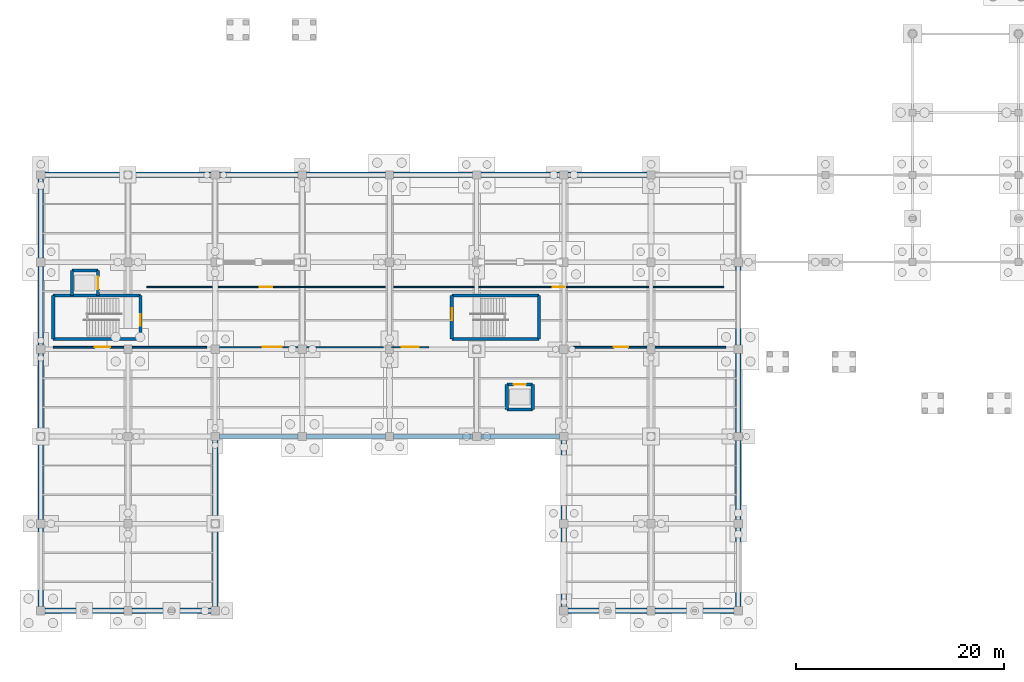
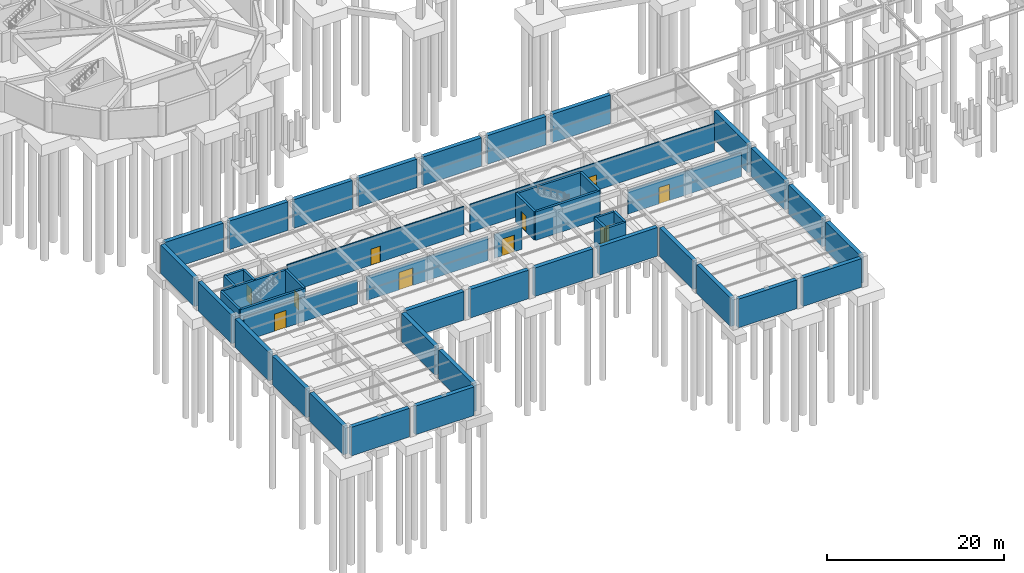
# One storey, part 25 of 38: 49 walls, 10 doors, 10 openings.
"""IFC4 building model written with IfcOpenShell, lengths in metres."""

from ifc_helpers import new_model, si_unit, direction, frame, frame_2d, origin, place, context, subcontext, project, spatial, rectangle, extrude, material, layer, layer_set, type_object, element, fill, save


model = new_model("IFC4")

# Units and contexts
model_context = context("Model", 3, precision=1e-05, world=origin(), true_north=direction((0.0, 1.0)))
body_context = subcontext(model_context, "Body", "Model", "MODEL_VIEW")
ifc_project = project(units=[si_unit("LENGTHUNIT", "METRE"), si_unit("AREAUNIT", "SQUARE_METRE"), si_unit("VOLUMEUNIT", "CUBIC_METRE"), si_unit("PLANEANGLEUNIT", "RADIAN"), si_unit("MASSUNIT", "GRAM", prefix="KILO"), si_unit("THERMODYNAMICTEMPERATUREUNIT", "KELVIN"), si_unit("POWERUNIT", "WATT")], contexts=[model_context])

# Site, building, storey
site_placement = place(None, origin())
site = spatial("IfcSite", under=ifc_project, at=site_placement, CompositionType="ELEMENT")
building_placement = place(site_placement, origin())
building = spatial("IfcBuilding", under=site, at=building_placement, Name="Darbajah Civic Hall", CompositionType="ELEMENT")
storey_placement = place(building_placement, frame((0.0, 0.0, -4.199951171875)))
storey = spatial("IfcBuildingStorey", under=building, at=storey_placement, Name="B01", CompositionType="ELEMENT", Elevation=-4.199951171875)

# Walls
ifc_material_1 = material(Name="Concrete C45/55", Category="concrete")
ifc_layer_1 = layer(ifc_material_1, 0.52001953125, Name="Concrete C45/55")
ifc_layer_set_1 = layer_set([ifc_layer_1], Name="Concrete C45/55")
wall_type_1 = type_object("IfcWallType", Name="Basement Perimeter Wall 520mm", PredefinedType="SOLIDWALL", material=ifc_layer_set_1)
for number, where, z_axis, x_axis, name in (
    (1, (0.402099609375, 0.0, 0.0), (0.0, 0.0, 1.0), (1.0, 0.0, 0.0), "B01 exterior wall RW-520"),
    (2, (8.802001953125, 0.0, 0.0), (0.0, 0.0, 1.0), (1.0, 0.0, 0.0), "B01 exterior wall RW-520"),
    (3, (16.800048828125, 0.402099609375, 0.0), (0.0, 0.0, 1.0), (0.0, 1.0, 0.0), "B01 exterior wall RW-520"),
    (4, (16.800048828125, 8.802001953125, 0.0), (0.0, 0.0, 1.0), (0.0, 1.0, 0.0), "B01 exterior wall RW-520"),
):
    element("IfcWall", number, at=place(storey_placement, frame(where, z_axis=z_axis, x_axis=x_axis)), inside=storey, type_object=wall_type_1, Name=name, PredefinedType="SOLIDWALL", context=body_context, shape_type="SweptSolid", body=[
        extrude(rectangle(XDim=7.595947265625, YDim=0.52001953125, at=frame_2d((3.7978515625, 0.0))), origin(), (0.0, 0.0, 1.0), 3.93994140625),
    ])
wall_1_placement = place(storey_placement, frame((17.201904296875, 16.800048828125, 0.0), z_axis=(0.0, 0.0, 1.0), x_axis=(1.0, 0.0, 0.0)))
element("IfcWall", 5, at=wall_1_placement, inside=storey, type_object=wall_type_1, Name="B01 exterior wall RW-520", PredefinedType="SOLIDWALL", context=body_context, shape_type="SweptSolid", body=[
    extrude(rectangle(XDim=7.59619140625, YDim=0.52001953125, at=frame_2d((3.798095703125, 0.0))), origin(), (0.0, 0.0, 1.0), 3.93994140625),
])
for number, where, z_axis, x_axis, name in (
    (6, (25.60205078125, 16.800048828125, 0.0), (0.0, 0.0, 1.0), (1.0, 0.0, 0.0), "B01 exterior wall RW-520"),
    (7, (34.001953125, 16.800048828125, 0.0), (0.0, 0.0, 1.0), (1.0, 0.0, 0.0), "B01 exterior wall RW-520"),
    (8, (42.402099609375, 16.800048828125, 0.0), (0.0, 0.0, 1.0), (1.0, 0.0, 0.0), "B01 exterior wall RW-520"),
    (9, (50.39990234375, 16.39794921875, 0.0), (0.0, 0.0, 1.0), (0.0, -1.0, 0.0), "B01 exterior wall RW-520"),
    (10, (50.39990234375, 7.998046875, 0.0), (0.0, 0.0, 1.0), (0.0, -1.0, 0.0), "B01 exterior wall RW-520"),
    (11, (50.802001953125, 0.0, 0.0), (0.0, 0.0, 1.0), (1.0, 0.0, 0.0), "B01 exterior wall RW-520"),
):
    element("IfcWall", number, at=place(storey_placement, frame(where, z_axis=z_axis, x_axis=x_axis)), inside=storey, type_object=wall_type_1, Name=name, PredefinedType="SOLIDWALL", context=body_context, shape_type="SweptSolid", body=[
        extrude(rectangle(XDim=7.595947265625, YDim=0.52001953125, at=frame_2d((3.7978515625, 0.0))), origin(), (0.0, 0.0, 1.0), 3.93994140625),
    ])
wall_2_placement = place(storey_placement, frame((59.201904296875, 0.0, 0.0), z_axis=(0.0, 0.0, 1.0), x_axis=(1.0, 0.0, 0.0)))
element("IfcWall", 12, at=wall_2_placement, inside=storey, type_object=wall_type_1, Name="B01 exterior wall RW-520", PredefinedType="SOLIDWALL", context=body_context, shape_type="SweptSolid", body=[
    extrude(rectangle(XDim=7.59619140625, YDim=0.52001953125, at=frame_2d((3.798095703125, 0.0))), origin(), (0.0, 0.0, 1.0), 3.93994140625),
])
for number, where, z_axis, x_axis, name in (
    (13, (67.199951171875, 0.402099609375, 0.0), (0.0, 0.0, 1.0), (0.0, 1.0, 0.0), "B01 exterior wall RW-520"),
    (14, (67.199951171875, 8.802001953125, 0.0), (0.0, 0.0, 1.0), (0.0, 1.0, 0.0), "B01 exterior wall RW-520"),
):
    element("IfcWall", number, at=place(storey_placement, frame(where, z_axis=z_axis, x_axis=x_axis)), inside=storey, type_object=wall_type_1, Name=name, PredefinedType="SOLIDWALL", context=body_context, shape_type="SweptSolid", body=[
        extrude(rectangle(XDim=7.595947265625, YDim=0.52001953125, at=frame_2d((3.7978515625, 0.0))), origin(), (0.0, 0.0, 1.0), 3.93994140625),
    ])
wall_3_placement = place(storey_placement, frame((67.199951171875, 17.201904296875, 0.0), z_axis=(0.0, 0.0, 1.0), x_axis=(0.0, 1.0, 0.0)))
element("IfcWall", 15, at=wall_3_placement, inside=storey, type_object=wall_type_1, Name="B01 exterior wall RW-520", PredefinedType="SOLIDWALL", context=body_context, shape_type="SweptSolid", body=[
    extrude(rectangle(XDim=7.59619140625, YDim=0.52001953125, at=frame_2d((3.798095703125, 0.0))), origin(), (0.0, 0.0, 1.0), 3.93994140625),
])
for number, where, z_axis, x_axis, name in (
    (16, (67.199951171875, 25.60205078125, 0.0), (0.0, 0.0, 1.0), (0.0, 1.0, 0.0), "B01 exterior wall RW-520"),
    (17, (58.39794921875, 42.0, 0.0), (0.0, 0.0, 1.0), (-1.0, 0.0, 0.0), "B01 exterior wall RW-520"),
    (18, (49.998046875, 42.0, 0.0), (0.0, 0.0, 1.0), (-1.0, 0.0, 0.0), "B01 exterior wall RW-520"),
    (19, (41.597900390625, 42.0, 0.0), (0.0, 0.0, 1.0), (-1.0, 0.0, 0.0), "B01 exterior wall RW-520"),
    (20, (33.197998046875, 42.0, 0.0), (0.0, 0.0, 1.0), (-1.0, 0.0, 0.0), "B01 exterior wall RW-520"),
):
    element("IfcWall", number, at=place(storey_placement, frame(where, z_axis=z_axis, x_axis=x_axis)), inside=storey, type_object=wall_type_1, Name=name, PredefinedType="SOLIDWALL", context=body_context, shape_type="SweptSolid", body=[
        extrude(rectangle(XDim=7.595947265625, YDim=0.52001953125, at=frame_2d((3.7978515625, 0.0))), origin(), (0.0, 0.0, 1.0), 3.93994140625),
    ])
wall_4_placement = place(storey_placement, frame((24.798095703125, 42.0, 0.0), z_axis=(0.0, 0.0, 1.0), x_axis=(-1.0, 0.0, 0.0)))
element("IfcWall", 21, at=wall_4_placement, inside=storey, type_object=wall_type_1, Name="B01 exterior wall RW-520", PredefinedType="SOLIDWALL", context=body_context, shape_type="SweptSolid", body=[
    extrude(rectangle(XDim=7.59619140625, YDim=0.52001953125, at=frame_2d((3.798095703125, 0.0))), origin(), (0.0, 0.0, 1.0), 3.93994140625),
])
for number, where, z_axis, x_axis, name in (
    (22, (16.39794921875, 42.0, 0.0), (0.0, 0.0, 1.0), (-1.0, 0.0, 0.0), "B01 exterior wall RW-520"),
    (23, (7.998046875, 42.0, 0.0), (0.0, 0.0, 1.0), (-1.0, 0.0, 0.0), "B01 exterior wall RW-520"),
    (24, (0.0, 41.597900390625, 0.0), (0.0, 0.0, 1.0), (0.0, -1.0, 0.0), "B01 exterior wall RW-520"),
    (25, (0.0, 33.197998046875, 0.0), (0.0, 0.0, 1.0), (0.0, -1.0, 0.0), "B01 exterior wall RW-520"),
):
    element("IfcWall", number, at=place(storey_placement, frame(where, z_axis=z_axis, x_axis=x_axis)), inside=storey, type_object=wall_type_1, Name=name, PredefinedType="SOLIDWALL", context=body_context, shape_type="SweptSolid", body=[
        extrude(rectangle(XDim=7.595947265625, YDim=0.52001953125, at=frame_2d((3.7978515625, 0.0))), origin(), (0.0, 0.0, 1.0), 3.93994140625),
    ])
wall_5_placement = place(storey_placement, frame((0.0, 24.798095703125, 0.0), z_axis=(0.0, 0.0, 1.0), x_axis=(0.0, -1.0, 0.0)))
element("IfcWall", 26, at=wall_5_placement, inside=storey, type_object=wall_type_1, Name="B01 exterior wall RW-520", PredefinedType="SOLIDWALL", context=body_context, shape_type="SweptSolid", body=[
    extrude(rectangle(XDim=7.59619140625, YDim=0.52001953125, at=frame_2d((3.798095703125, 0.0))), origin(), (0.0, 0.0, 1.0), 3.93994140625),
])
for number, where, z_axis, x_axis, name in (
    (27, (0.0, 16.39794921875, 0.0), (0.0, 0.0, 1.0), (0.0, -1.0, 0.0), "B01 exterior wall RW-520"),
    (28, (0.0, 7.998046875, 0.0), (0.0, 0.0, 1.0), (0.0, -1.0, 0.0), "B01 exterior wall RW-520"),
):
    element("IfcWall", number, at=place(storey_placement, frame(where, z_axis=z_axis, x_axis=x_axis)), inside=storey, type_object=wall_type_1, Name=name, PredefinedType="SOLIDWALL", context=body_context, shape_type="SweptSolid", body=[
        extrude(rectangle(XDim=7.595947265625, YDim=0.52001953125, at=frame_2d((3.7978515625, 0.0))), origin(), (0.0, 0.0, 1.0), 3.93994140625),
    ])
ifc_layer_2 = layer(ifc_material_1, 0.300048828125, Name="Concrete C45/55")
ifc_layer_set_2 = layer_set([ifc_layer_2], Name="Concrete C45/55")
wall_type_2 = type_object("IfcWallType", Name="Core Shear Wall 300mm", PredefinedType="SHEAR", material=ifc_layer_set_2)
wall_6_placement = place(storey_placement, frame((1.199951171875, 26.199951171875, 0.0), z_axis=(0.0, 0.0, 1.0), x_axis=(1.0, 0.0, 0.0)))
element("IfcWall", 29, at=wall_6_placement, inside=storey, type_object=wall_type_2, Name="B01 core C10 shear wall S", PredefinedType="SHEAR", context=body_context, shape_type="SweptSolid", body=[
    extrude(rectangle(XDim=8.400146484375, YDim=0.300048828125, at=frame_2d((4.2001953125, 0.0))), origin(), (0.0, 0.0, 1.0), 3.919921875),
])

# Wall, opening, door
wall_7_placement = place(storey_placement, frame((9.60009765625, 26.199951171875, 0.0), z_axis=(0.0, 0.0, 1.0), x_axis=(0.0, 1.0, 0.0)))
wall_7 = element("IfcWall", 30, at=wall_7_placement, inside=storey, type_object=wall_type_2, Name="B01 core C10 shear wall E", PredefinedType="SHEAR", context=body_context, shape_type="SweptSolid", body=[
    extrude(rectangle(XDim=4.199951171875, YDim=0.300048828125, at=frame_2d((2.10009765625, 0.0))), origin(), (0.0, 0.0, 1.0), 3.919921875),
])
opening_1_placement = place(wall_7_placement, frame((1.25, 0.0, 0.0)))
opening_1 = element("IfcOpeningElement", 31, at=opening_1_placement, cuts=wall_7, Name="Opening SD-0108", PredefinedType="OPENING", context=body_context, shape_type="SweptSolid", body=[
    extrude(rectangle(XDim=1.14990234375, YDim=2.199951171875, at=frame_2d((0.574951171875, 1.10009765625))), frame((0.0, 0.159912109375, 0.0), z_axis=(0.0, -1.0, 0.0), x_axis=(1.0, 0.0, 0.0)), (0.0, 0.0, 1.0), 0.320068359375),
])
ifc_material_2 = material(Name="Steel Rated Core Door", Category="steel")
door_type_1 = type_object("IfcDoorType", Name="Interior Door 1150x2200", OperationType="NOTDEFINED", PredefinedType="DOOR", material=ifc_material_2)
door_1_placement = place(opening_1_placement, origin())
door_1 = element("IfcDoor", 32, at=door_1_placement, inside=storey, type_object=door_type_1, Name="B01 stair ST10 fire door SD-0108", OperationType="SINGLE_SWING_LEFT", OverallHeight=2.199951171875, OverallWidth=1.14990234375, PredefinedType="DOOR", context=body_context, shape_type="SweptSolid", body=[
    extrude(rectangle(XDim=1.14990234375, YDim=2.199951171875, at=frame_2d((0.574951171875, 1.10009765625))), frame((0.0, 0.02490234375, 0.0), z_axis=(0.0, -1.0, 0.0), x_axis=(1.0, 0.0, 0.0)), (0.0, 0.0, 1.0), 0.050048828125),
])
fill(opening_1, door_1)

# Walls
wall_8_placement = place(storey_placement, frame((9.60009765625, 30.39990234375, 0.0), z_axis=(0.0, 0.0, 1.0), x_axis=(-1.0, 0.0, 0.0)))
element("IfcWall", 33, at=wall_8_placement, inside=storey, type_object=wall_type_2, Name="B01 core C10 shear wall N", PredefinedType="SHEAR", context=body_context, shape_type="SweptSolid", body=[
    extrude(rectangle(XDim=8.400146484375, YDim=0.300048828125, at=frame_2d((4.2001953125, 0.0))), origin(), (0.0, 0.0, 1.0), 3.919921875),
])
wall_9_placement = place(storey_placement, frame((1.199951171875, 30.39990234375, 0.0), z_axis=(0.0, 0.0, 1.0), x_axis=(0.0, -1.0, 0.0)))
element("IfcWall", 34, at=wall_9_placement, inside=storey, type_object=wall_type_2, Name="B01 core C10 shear wall W", PredefinedType="SHEAR", context=body_context, shape_type="SweptSolid", body=[
    extrude(rectangle(XDim=4.199951171875, YDim=0.300048828125, at=frame_2d((2.10009765625, 0.0))), origin(), (0.0, 0.0, 1.0), 3.919921875),
])
wall_10_placement = place(storey_placement, frame((5.5, 32.800048828125, 0.0), z_axis=(0.0, 0.0, 1.0), x_axis=(-1.0, 0.0, 0.0)))
element("IfcWall", 35, at=wall_10_placement, inside=storey, type_object=wall_type_2, Name="B01 lift PL5 shaft wall N", PredefinedType="SHEAR", context=body_context, shape_type="SweptSolid", body=[
    extrude(rectangle(XDim=2.5, YDim=0.300048828125, at=frame_2d((1.25, 0.0))), origin(), (0.0, 0.0, 1.0), 3.919921875),
])
wall_11_placement = place(storey_placement, frame((3.0, 32.800048828125, 0.0), z_axis=(0.0, 0.0, 1.0), x_axis=(0.0, -1.0, 0.0)))
element("IfcWall", 36, at=wall_11_placement, inside=storey, type_object=wall_type_2, Name="B01 lift PL5 shaft wall W", PredefinedType="SHEAR", context=body_context, shape_type="SweptSolid", body=[
    extrude(rectangle(XDim=2.400146484375, YDim=0.300048828125, at=frame_2d((1.2001953125, 0.0))), origin(), (0.0, 0.0, 1.0), 3.919921875),
])

# Wall, opening, door
wall_12_placement = place(storey_placement, frame((5.5, 30.39990234375, 0.0), z_axis=(0.0, 0.0, 1.0), x_axis=(0.0, 1.0, 0.0)))
wall_12 = element("IfcWall", 37, at=wall_12_placement, inside=storey, type_object=wall_type_2, Name="B01 lift PL5 shaft wall E", PredefinedType="SHEAR", context=body_context, shape_type="SweptSolid", body=[
    extrude(rectangle(XDim=2.400146484375, YDim=0.300048828125, at=frame_2d((1.2001953125, 0.0))), origin(), (0.0, 0.0, 1.0), 3.919921875),
])
opening_2_placement = place(wall_12_placement, frame((0.60009765625, 0.0, 0.0)))
opening_2 = element("IfcOpeningElement", 38, at=opening_2_placement, cuts=wall_12, Name="Opening LD-0114", PredefinedType="OPENING", context=body_context, shape_type="SweptSolid", body=[
    extrude(rectangle(XDim=1.199951171875, YDim=2.25, at=frame_2d((0.60009765625, 1.125))), frame((0.0, 0.159912109375, 0.0), z_axis=(0.0, -1.0, 0.0), x_axis=(1.0, 0.0, 0.0)), (0.0, 0.0, 1.0), 0.320068359375),
])
ifc_material_3 = material(Name="Stainless Lift Landing Door")
door_type_2 = type_object("IfcDoorType", Name="Lift Landing Door 1200x2250", OperationType="SLIDING_TO_LEFT", PredefinedType="DOOR", material=ifc_material_3)
door_2_placement = place(opening_2_placement, origin())
door_2 = element("IfcDoor", 39, at=door_2_placement, inside=storey, type_object=door_type_2, Name="B01 lift PL5 landing door LD-0114", OperationType="SLIDING_TO_LEFT", OverallHeight=2.25, OverallWidth=1.199951171875, PredefinedType="DOOR", context=body_context, shape_type="SweptSolid", body=[
    extrude(rectangle(XDim=1.199951171875, YDim=2.25, at=frame_2d((0.60009765625, 1.125))), frame((0.0, 0.02490234375, 0.0), z_axis=(0.0, -1.0, 0.0), x_axis=(1.0, 0.0, 0.0)), (0.0, 0.0, 1.0), 0.050048828125),
])
fill(opening_2, door_2)

# Walls
wall_13_placement = place(storey_placement, frame((39.60009765625, 26.199951171875, 0.0), z_axis=(0.0, 0.0, 1.0), x_axis=(1.0, 0.0, 0.0)))
element("IfcWall", 40, at=wall_13_placement, inside=storey, type_object=wall_type_2, Name="B01 core C11 shear wall S", PredefinedType="SHEAR", context=body_context, shape_type="SweptSolid", body=[
    extrude(rectangle(XDim=8.39990234375, YDim=0.300048828125, at=frame_2d((4.199951171875, 0.0))), origin(), (0.0, 0.0, 1.0), 3.919921875),
])
wall_14_placement = place(storey_placement, frame((48.0, 26.199951171875, 0.0), z_axis=(0.0, 0.0, 1.0), x_axis=(0.0, 1.0, 0.0)))
element("IfcWall", 41, at=wall_14_placement, inside=storey, type_object=wall_type_2, Name="B01 core C11 shear wall E", PredefinedType="SHEAR", context=body_context, shape_type="SweptSolid", body=[
    extrude(rectangle(XDim=4.199951171875, YDim=0.300048828125, at=frame_2d((2.10009765625, 0.0))), origin(), (0.0, 0.0, 1.0), 3.919921875),
])
wall_15_placement = place(storey_placement, frame((48.0, 30.39990234375, 0.0), z_axis=(0.0, 0.0, 1.0), x_axis=(-1.0, 0.0, 0.0)))
element("IfcWall", 42, at=wall_15_placement, inside=storey, type_object=wall_type_2, Name="B01 core C11 shear wall N", PredefinedType="SHEAR", context=body_context, shape_type="SweptSolid", body=[
    extrude(rectangle(XDim=8.39990234375, YDim=0.300048828125, at=frame_2d((4.199951171875, 0.0))), origin(), (0.0, 0.0, 1.0), 3.919921875),
])

# Wall, opening, door
wall_16_placement = place(storey_placement, frame((39.60009765625, 30.39990234375, 0.0), z_axis=(0.0, 0.0, 1.0), x_axis=(0.0, -1.0, 0.0)))
wall_16 = element("IfcWall", 43, at=wall_16_placement, inside=storey, type_object=wall_type_2, Name="B01 core C11 shear wall W", PredefinedType="SHEAR", context=body_context, shape_type="SweptSolid", body=[
    extrude(rectangle(XDim=4.199951171875, YDim=0.300048828125, at=frame_2d((2.10009765625, 0.0))), origin(), (0.0, 0.0, 1.0), 3.919921875),
])
opening_3_placement = place(wall_16_placement, frame((1.25, 0.0, 0.0)))
opening_3 = element("IfcOpeningElement", 44, at=opening_3_placement, cuts=wall_16, Name="Opening SD-0120", PredefinedType="OPENING", context=body_context, shape_type="SweptSolid", body=[
    extrude(rectangle(XDim=1.14990234375, YDim=2.199951171875, at=frame_2d((0.574951171875, 1.10009765625))), frame((0.0, 0.159912109375, 0.0), z_axis=(0.0, -1.0, 0.0), x_axis=(1.0, 0.0, 0.0)), (0.0, 0.0, 1.0), 0.320068359375),
])
door_3_placement = place(opening_3_placement, origin())
door_3 = element("IfcDoor", 45, at=door_3_placement, inside=storey, type_object=door_type_1, Name="B01 stair ST11 fire door SD-0120", OperationType="SINGLE_SWING_LEFT", OverallHeight=2.199951171875, OverallWidth=1.14990234375, PredefinedType="DOOR", context=body_context, shape_type="SweptSolid", body=[
    extrude(rectangle(XDim=1.14990234375, YDim=2.199951171875, at=frame_2d((0.574951171875, 1.10009765625))), frame((0.0, 0.02490234375, 0.0), z_axis=(0.0, -1.0, 0.0), x_axis=(1.0, 0.0, 0.0)), (0.0, 0.0, 1.0), 0.050048828125),
])
fill(opening_3, door_3)

wall_17_placement = place(storey_placement, frame((47.39990234375, 21.800048828125, 0.0), z_axis=(0.0, 0.0, 1.0), x_axis=(-1.0, 0.0, 0.0)))
wall_17 = element("IfcWall", 46, at=wall_17_placement, inside=storey, type_object=wall_type_2, Name="B01 lift PL6 shaft wall N", PredefinedType="SHEAR", context=body_context, shape_type="SweptSolid", body=[
    extrude(rectangle(XDim=2.5, YDim=0.300048828125, at=frame_2d((1.25, 0.0))), origin(), (0.0, 0.0, 1.0), 3.919921875),
])
opening_4_placement = place(wall_17_placement, frame((0.64990234375, 0.0, 0.0)))
opening_4 = element("IfcOpeningElement", 47, at=opening_4_placement, cuts=wall_17, Name="Opening LD-0126", PredefinedType="OPENING", context=body_context, shape_type="SweptSolid", body=[
    extrude(rectangle(XDim=1.199951171875, YDim=2.25, at=frame_2d((0.60009765625, 1.125))), frame((0.0, 0.159912109375, 0.0), z_axis=(0.0, -1.0, 0.0), x_axis=(1.0, 0.0, 0.0)), (0.0, 0.0, 1.0), 0.320068359375),
])
door_4_placement = place(opening_4_placement, origin())
door_4 = element("IfcDoor", 48, at=door_4_placement, inside=storey, type_object=door_type_2, Name="B01 lift PL6 landing door LD-0126", OperationType="SLIDING_TO_LEFT", OverallHeight=2.25, OverallWidth=1.199951171875, PredefinedType="DOOR", context=body_context, shape_type="SweptSolid", body=[
    extrude(rectangle(XDim=1.199951171875, YDim=2.25, at=frame_2d((0.60009765625, 1.125))), frame((0.0, 0.02490234375, 0.0), z_axis=(0.0, -1.0, 0.0), x_axis=(1.0, 0.0, 0.0)), (0.0, 0.0, 1.0), 0.050048828125),
])
fill(opening_4, door_4)

# Walls
wall_18_placement = place(storey_placement, frame((44.89990234375, 19.39990234375, 0.0), z_axis=(0.0, 0.0, 1.0), x_axis=(1.0, 0.0, 0.0)))
element("IfcWall", 49, at=wall_18_placement, inside=storey, type_object=wall_type_2, Name="B01 lift PL6 shaft wall S", PredefinedType="SHEAR", context=body_context, shape_type="SweptSolid", body=[
    extrude(rectangle(XDim=2.5, YDim=0.300048828125, at=frame_2d((1.25, 0.0))), origin(), (0.0, 0.0, 1.0), 3.919921875),
])
for number, where, z_axis, x_axis, name in (
    (50, (44.89990234375, 21.800048828125, 0.0), (0.0, 0.0, 1.0), (0.0, -1.0, 0.0), "B01 lift PL6 shaft wall W"),
    (51, (47.39990234375, 19.39990234375, 0.0), (0.0, 0.0, 1.0), (0.0, 1.0, 0.0), "B01 lift PL6 shaft wall E"),
):
    element("IfcWall", number, at=place(storey_placement, frame(where, z_axis=z_axis, x_axis=x_axis)), inside=storey, type_object=wall_type_2, Name=name, PredefinedType="SHEAR", context=body_context, shape_type="SweptSolid", body=[
        extrude(rectangle(XDim=2.400146484375, YDim=0.300048828125, at=frame_2d((1.2001953125, 0.0))), origin(), (0.0, 0.0, 1.0), 3.919921875),
    ])

# Wall, opening, door
ifc_material_4 = material(Name="Acoustic Gypsum Partition")
ifc_layer_3 = layer(ifc_material_4, 0.114990234375, Name="Acoustic Gypsum Partition")
ifc_layer_set_3 = layer_set([ifc_layer_3], Name="Acoustic Gypsum Partition")
wall_type_3 = type_object("IfcWallType", Name="Interior Partition 115mm", PredefinedType="PARTITIONING", material=ifc_layer_set_3)
wall_19_placement = place(storey_placement, frame((33.800048828125, 25.39990234375, 0.0), z_axis=(0.0, 0.0, 1.0), x_axis=(1.0, 0.0, 0.0)))
wall_19 = element("IfcWall", 52, at=wall_19_placement, inside=storey, type_object=wall_type_3, Name="B01 interior partition B01-14", PredefinedType="PARTITIONING", context=body_context, shape_type="SweptSolid", body=[
    extrude(rectangle(XDim=3.599853515625, YDim=0.114990234375, at=frame_2d((1.7998046875, 0.0))), origin(), (0.0, 0.0, 1.0), 3.2900390625),
])
opening_5_placement = place(wall_19_placement, frame((1.0, 0.0, 0.0)))
opening_5 = element("IfcOpeningElement", 53, at=opening_5_placement, cuts=wall_19, Name="Opening D-0148", PredefinedType="OPENING", context=body_context, shape_type="SweptSolid", body=[
    extrude(rectangle(XDim=1.60009765625, YDim=2.300048828125, at=frame_2d((0.800048828125, 1.14990234375))), frame((0.0, 0.0673828125, 0.0), z_axis=(0.0, -1.0, 0.0), x_axis=(1.0, 0.0, 0.0)), (0.0, 0.0, 1.0), 0.135009765625),
])
ifc_material_5 = material(Name="Painted Hardwood Fire Door", Category="wood")
door_type_3 = type_object("IfcDoorType", Name="Interior Door 1600x2300", OperationType="NOTDEFINED", PredefinedType="DOOR", material=ifc_material_5)
door_5_placement = place(opening_5_placement, origin())
door_5 = element("IfcDoor", 54, at=door_5_placement, inside=storey, type_object=door_type_3, Name="B01 B01-14 door D-0148", OperationType="DOUBLE_DOOR_SINGLE_SWING", OverallHeight=2.300048828125, OverallWidth=1.60009765625, PredefinedType="DOOR", context=body_context, shape_type="SweptSolid", body=[
    extrude(rectangle(XDim=1.60009765625, YDim=2.300048828125, at=frame_2d((0.800048828125, 1.14990234375))), frame((0.0, 0.02490234375, 0.0), z_axis=(0.0, -1.0, 0.0), x_axis=(1.0, 0.0, 0.0)), (0.0, 0.0, 1.0), 0.050048828125),
])
fill(opening_5, door_5)

wall_20_placement = place(storey_placement, frame((34.0, 31.199951171875, 0.0), z_axis=(0.0, 0.0, 1.0), x_axis=(1.0, 0.0, 0.0)))
wall_20 = element("IfcWall", 55, at=wall_20_placement, inside=storey, type_object=wall_type_3, Name="B01 interior partition B01-17", PredefinedType="PARTITIONING", context=body_context, shape_type="SweptSolid", body=[
    extrude(rectangle(XDim=31.800048828125, YDim=0.114990234375, at=frame_2d((15.89990234375, 0.0))), origin(), (0.0, 0.0, 1.0), 3.85986328125),
])
opening_6_placement = place(wall_20_placement, frame((15.35009765625, 0.0, 0.0)))
opening_6 = element("IfcOpeningElement", 56, at=opening_6_placement, cuts=wall_20, Name="Opening D-0151", PredefinedType="OPENING", context=body_context, shape_type="SweptSolid", body=[
    extrude(rectangle(XDim=1.10009765625, YDim=2.14990234375, at=frame_2d((0.550048828125, 1.074951171875))), frame((0.0, 0.0673828125, 0.0), z_axis=(0.0, -1.0, 0.0), x_axis=(1.0, 0.0, 0.0)), (0.0, 0.0, 1.0), 0.135009765625),
])
ifc_material_6 = material(Name="Acoustic Oak Office Door")
door_type_4 = type_object("IfcDoorType", Name="Interior Door 1100x2150", OperationType="NOTDEFINED", PredefinedType="DOOR", material=ifc_material_6)
door_6_placement = place(opening_6_placement, origin())
door_6 = element("IfcDoor", 57, at=door_6_placement, inside=storey, type_object=door_type_4, Name="B01 B01-17 door D-0151", OperationType="SINGLE_SWING_RIGHT", OverallHeight=2.14990234375, OverallWidth=1.10009765625, PredefinedType="DOOR", context=body_context, shape_type="SweptSolid", body=[
    extrude(rectangle(XDim=1.10009765625, YDim=2.14990234375, at=frame_2d((0.550048828125, 1.074951171875))), frame((0.0, 0.02490234375, 0.0), z_axis=(0.0, -1.0, 0.0), x_axis=(1.0, 0.0, 0.0)), (0.0, 0.0, 1.0), 0.050048828125),
])
fill(opening_6, door_6)

ifc_material_7 = material(Name="Gypsum Plasterboard on Steel Stud", Category="steel")
ifc_layer_4 = layer(ifc_material_7, 0.135009765625, Name="Gypsum Plasterboard on Steel Stud")
ifc_layer_set_4 = layer_set([ifc_layer_4], Name="Gypsum Plasterboard on Steel Stud")
wall_type_4 = type_object("IfcWallType", Name="Interior Partition 135mm", PredefinedType="PARTITIONING", material=ifc_layer_set_4)
wall_21_placement = place(storey_placement, frame((17.199951171875, 25.39990234375, 0.0), z_axis=(0.0, 0.0, 1.0), x_axis=(1.0, 0.0, 0.0)))
wall_21 = element("IfcWall", 58, at=wall_21_placement, inside=storey, type_object=wall_type_4, Name="B01 interior partition B01-13", PredefinedType="PARTITIONING", context=body_context, shape_type="SweptSolid", body=[
    extrude(rectangle(XDim=15.800048828125, YDim=0.135009765625, at=frame_2d((7.89990234375, 0.0))), origin(), (0.0, 0.0, 1.0), 3.2900390625),
])
opening_7_placement = place(wall_21_placement, frame((4.199951171875, 0.0, 0.0)))
opening_7 = element("IfcOpeningElement", 59, at=opening_7_placement, cuts=wall_21, Name="Opening D-0147", PredefinedType="OPENING", context=body_context, shape_type="SweptSolid", body=[
    extrude(rectangle(XDim=1.800048828125, YDim=2.39990234375, at=frame_2d((0.89990234375, 1.199951171875))), frame((0.0, 0.077392578125, 0.0), z_axis=(0.0, -1.0, 0.0), x_axis=(1.0, 0.0, 0.0)), (0.0, 0.0, 1.0), 0.155029296875),
])
door_type_5 = type_object("IfcDoorType", Name="Interior Door 1800x2400", OperationType="NOTDEFINED", PredefinedType="DOOR", material=ifc_material_5)
door_7_placement = place(opening_7_placement, origin())
door_7 = element("IfcDoor", 60, at=door_7_placement, inside=storey, type_object=door_type_5, Name="B01 B01-13 door D-0147", OperationType="DOUBLE_DOOR_SINGLE_SWING", OverallHeight=2.39990234375, OverallWidth=1.800048828125, PredefinedType="DOOR", context=body_context, shape_type="SweptSolid", body=[
    extrude(rectangle(XDim=1.800048828125, YDim=2.39990234375, at=frame_2d((0.89990234375, 1.199951171875))), frame((0.0, 0.02490234375, 0.0), z_axis=(0.0, -1.0, 0.0), x_axis=(1.0, 0.0, 0.0)), (0.0, 0.0, 1.0), 0.050048828125),
])
fill(opening_7, door_7)

wall_22_placement = place(storey_placement, frame((10.199951171875, 31.199951171875, 0.0), z_axis=(0.0, 0.0, 1.0), x_axis=(1.0, 0.0, 0.0)))
wall_22 = element("IfcWall", 61, at=wall_22_placement, inside=storey, type_object=wall_type_4, Name="B01 interior partition B01-16", PredefinedType="PARTITIONING", context=body_context, shape_type="SweptSolid", body=[
    extrude(rectangle(XDim=23.0, YDim=0.135009765625, at=frame_2d((11.5, 0.0))), origin(), (0.0, 0.0, 1.0), 3.85986328125),
])
opening_8_placement = place(wall_22_placement, frame((10.89990234375, 0.0, 0.0)))
opening_8 = element("IfcOpeningElement", 62, at=opening_8_placement, cuts=wall_22, Name="Opening D-0150", PredefinedType="OPENING", context=body_context, shape_type="SweptSolid", body=[
    extrude(rectangle(XDim=1.199951171875, YDim=2.199951171875, at=frame_2d((0.60009765625, 1.10009765625))), frame((0.0, 0.077392578125, 0.0), z_axis=(0.0, -1.0, 0.0), x_axis=(1.0, 0.0, 0.0)), (0.0, 0.0, 1.0), 0.155029296875),
])
door_type_6 = type_object("IfcDoorType", Name="Interior Door 1200x2200", OperationType="NOTDEFINED", PredefinedType="DOOR", material=ifc_material_5)
door_8_placement = place(opening_8_placement, origin())
door_8 = element("IfcDoor", 63, at=door_8_placement, inside=storey, type_object=door_type_6, Name="B01 B01-16 door D-0150", OperationType="SINGLE_SWING_LEFT", OverallHeight=2.199951171875, OverallWidth=1.199951171875, PredefinedType="DOOR", context=body_context, shape_type="SweptSolid", body=[
    extrude(rectangle(XDim=1.199951171875, YDim=2.199951171875, at=frame_2d((0.60009765625, 1.10009765625))), frame((0.0, 0.02490234375, 0.0), z_axis=(0.0, -1.0, 0.0), x_axis=(1.0, 0.0, 0.0)), (0.0, 0.0, 1.0), 0.050048828125),
])
fill(opening_8, door_8)

ifc_layer_5 = layer(ifc_material_7, 0.159912109375, Name="Gypsum Plasterboard on Steel Stud")
ifc_layer_set_5 = layer_set([ifc_layer_5], Name="Gypsum Plasterboard on Steel Stud")
wall_type_5 = type_object("IfcWallType", Name="Interior Partition 160mm", PredefinedType="PARTITIONING", material=ifc_layer_set_5)
wall_23_placement = place(storey_placement, frame((1.199951171875, 25.39990234375, 0.0), z_axis=(0.0, 0.0, 1.0), x_axis=(1.0, 0.0, 0.0)))
wall_23 = element("IfcWall", 64, at=wall_23_placement, inside=storey, type_object=wall_type_5, Name="B01 interior partition B01-12", PredefinedType="PARTITIONING", context=body_context, shape_type="SweptSolid", body=[
    extrude(rectangle(XDim=14.800048828125, YDim=0.159912109375, at=frame_2d((7.39990234375, 0.0))), origin(), (0.0, 0.0, 1.0), 3.2900390625),
])
opening_9_placement = place(wall_23_placement, frame((3.989990234375, 0.0, 0.0)))
opening_9 = element("IfcOpeningElement", 65, at=opening_9_placement, cuts=wall_23, Name="Opening D-0146", PredefinedType="OPENING", context=body_context, shape_type="SweptSolid", body=[
    extrude(rectangle(XDim=1.5, YDim=2.35009765625, at=frame_2d((0.75, 1.175048828125))), frame((0.0, 0.08984375, 0.0), z_axis=(0.0, -1.0, 0.0), x_axis=(1.0, 0.0, 0.0)), (0.0, 0.0, 1.0), 0.179931640625),
])
ifc_material_8 = material(Name="Committee Chamber Double Door")
door_type_7 = type_object("IfcDoorType", Name="Interior Door 1500x2350", OperationType="NOTDEFINED", PredefinedType="DOOR", material=ifc_material_8)
door_9_placement = place(opening_9_placement, origin())
door_9 = element("IfcDoor", 66, at=door_9_placement, inside=storey, type_object=door_type_7, Name="B01 B01-12 door D-0146", OperationType="DOUBLE_DOOR_SINGLE_SWING", OverallHeight=2.35009765625, OverallWidth=1.5, PredefinedType="DOOR", context=body_context, shape_type="SweptSolid", body=[
    extrude(rectangle(XDim=1.5, YDim=2.35009765625, at=frame_2d((0.75, 1.175048828125))), frame((0.0, 0.02490234375, 0.0), z_axis=(0.0, -1.0, 0.0), x_axis=(1.0, 0.0, 0.0)), (0.0, 0.0, 1.0), 0.050048828125),
])
fill(opening_9, door_9)

wall_24_placement = place(storey_placement, frame((51.199951171875, 25.39990234375, 0.0), z_axis=(0.0, 0.0, 1.0), x_axis=(1.0, 0.0, 0.0)))
wall_24 = element("IfcWall", 67, at=wall_24_placement, inside=storey, type_object=wall_type_5, Name="B01 interior partition B01-15", PredefinedType="PARTITIONING", context=body_context, shape_type="SweptSolid", body=[
    extrude(rectangle(XDim=14.800048828125, YDim=0.159912109375, at=frame_2d((7.39990234375, 0.0))), origin(), (0.0, 0.0, 1.0), 3.2900390625),
])
opening_10_placement = place(wall_24_placement, frame((4.02001953125, 0.0, 0.0)))
opening_10 = element("IfcOpeningElement", 68, at=opening_10_placement, cuts=wall_24, Name="Opening D-0149", PredefinedType="OPENING", context=body_context, shape_type="SweptSolid", body=[
    extrude(rectangle(XDim=1.39990234375, YDim=2.25, at=frame_2d((0.699951171875, 1.125))), frame((0.0, 0.08984375, 0.0), z_axis=(0.0, -1.0, 0.0), x_axis=(1.0, 0.0, 0.0)), (0.0, 0.0, 1.0), 0.179931640625),
])
door_type_8 = type_object("IfcDoorType", Name="Interior Door 1400x2250", OperationType="NOTDEFINED", PredefinedType="DOOR", material=ifc_material_5)
door_10_placement = place(opening_10_placement, origin())
door_10 = element("IfcDoor", 69, at=door_10_placement, inside=storey, type_object=door_type_8, Name="B01 B01-15 door D-0149", OperationType="SINGLE_SWING_RIGHT", OverallHeight=2.25, OverallWidth=1.39990234375, PredefinedType="DOOR", context=body_context, shape_type="SweptSolid", body=[
    extrude(rectangle(XDim=1.39990234375, YDim=2.25, at=frame_2d((0.699951171875, 1.125))), frame((0.0, 0.02490234375, 0.0), z_axis=(0.0, -1.0, 0.0), x_axis=(1.0, 0.0, 0.0)), (0.0, 0.0, 1.0), 0.050048828125),
])
fill(opening_10, door_10)

save(model, "model.ifc")
